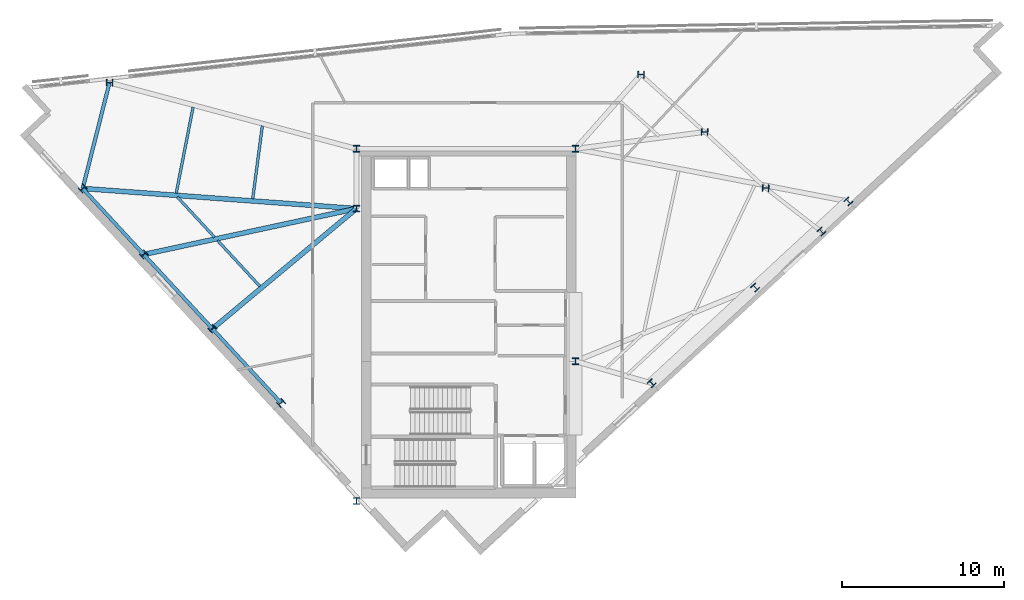
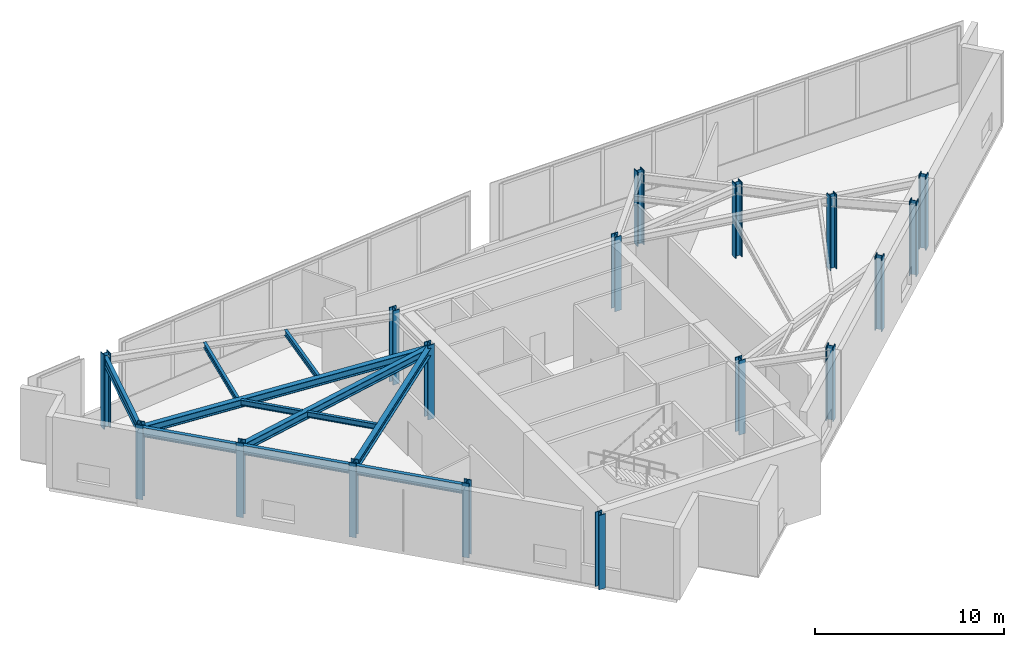
# One storey, part 1 of 12: 17 columns, 11 beams.
"""IFC4 building model written with IfcOpenShell, lengths in metres."""

from ifc_helpers import new_model, si_unit, direction, frame, origin, origin_2d, place, context, subcontext, project, spatial, i_section, extrude, material, material_profile, profile_set, type_object, element, save


model = new_model("IFC4")

# Units and contexts
model_context = context("Model", 3, precision=1e-05, world=origin(), true_north=direction((0.0, 1.0)))
body_context = subcontext(model_context, "Body", "Model", "MODEL_VIEW")
ifc_project = project(units=[si_unit("LENGTHUNIT", "METRE"), si_unit("AREAUNIT", "SQUARE_METRE"), si_unit("VOLUMEUNIT", "CUBIC_METRE"), si_unit("PLANEANGLEUNIT", "RADIAN"), si_unit("MASSUNIT", "GRAM", prefix="KILO")], contexts=[model_context])

# Site, building, storey
site_placement = place(None, origin())
site = spatial("IfcSite", under=ifc_project, at=site_placement, CompositionType="ELEMENT")
building_placement = place(site_placement, origin())
building = spatial("IfcBuilding", under=site, at=building_placement, Name="Narakoshi Arena Tower", CompositionType="ELEMENT")
storey_placement = place(building_placement, frame((0.0, 0.0, 298.179931640625)))
storey = spatial("IfcBuildingStorey", under=building, at=storey_placement, Name="L81", CompositionType="ELEMENT", Elevation=298.179931640625)

# Columns
ifc_material = material(Name="Structural steel S355J2", Category="steel")
ifc_material_profile_1 = material_profile(ifc_material, i_section(OverallWidth=0.406005859375, OverallDepth=0.416015625, WebThickness=0.02978515625, FlangeThickness=0.048095703125, FilletRadius=0.014892578125, at=origin_2d()), Name="HD400x382")
ifc_profile_set_1 = profile_set([ifc_material_profile_1], Name="Structural steel S355J2")
column_type = type_object("IfcColumnType", Name="COL-STL382", PredefinedType="COLUMN", material=ifc_profile_set_1)
for number, where, z_axis, x_axis, name in (
    (1, (72.0, 34.699951171875, 0.0), (0.0, 0.0, 1.0), (1.0, 0.0, 0.0), "L81 Core Structural Column CC1"),
    (2, (85.550048828125, 43.35009765625, 0.0), (0.0, 0.0, 1.0), (1.0, 0.0, 0.0), "L81 Core Structural Column CC3"),
    (3, (72.0, 52.800048828125, 0.0), (0.0, 0.0, 1.0), (1.0, 0.0, 0.0), "L81 Core Structural Column CC4"),
    (4, (72.0, 56.5, 0.0), (0.0, 0.0, 1.0), (1.0, 0.0, 0.0), "L81 Core Structural Column CC5"),
    (5, (85.550048828125, 56.5, 0.0), (0.0, 0.0, 1.0), (1.0, 0.0, 0.0), "L81 Core Structural Column CC6"),
    (6, (90.2734375, 41.992919921875, 0.0), (0.0, 0.0, 1.0), (0.734322509436, 0.678800745533, 0.0), "L81 Tower Perimeter Column TC01"),
    (7, (96.6787109375, 47.913818359375, 0.0), (0.0, 0.0, 1.0), (0.734322509436, 0.678800745533, 0.0), "L81 Tower Perimeter Column TC02"),
    (8, (102.443359375, 53.242431640625, 0.0), (0.0, 0.0, 1.0), (0.734322509436, 0.678800745533, 0.0), "L81 Tower Perimeter Column TC03"),
    (9, (100.78173828125, 51.379638671875, 0.0), (0.0, 0.0, 1.0), (0.734322509436, 0.678800745533, 0.0), "L81 Tower Perimeter Column TC04"),
    (10, (97.3291015625, 54.0654296875, 0.0), (0.0, 0.0, 1.0), (0.039259815759, 0.999229036241, 0.0), "L81 Tower Perimeter Column TC05"),
    (11, (93.55029296875, 57.543701171875, 0.0), (0.0, 0.0, 1.0), (0.039259815759, 0.999229036241, 0.0), "L81 Tower Perimeter Column TC06"),
    (12, (89.611328125, 61.09033203125, 0.0), (0.0, 0.0, 1.0), (0.039259815759, 0.999229036241, 0.0), "L81 Tower Perimeter Column TC07"),
    (13, (56.717041015625, 60.59814453125, 0.0), (0.0, 0.0, 1.0), (0.039259815759, 0.999229036241, 0.0), "L81 Tower Perimeter Column TC10"),
    (14, (55.05810546875, 54.04638671875, 0.0), (0.0, 0.0, 1.0), (-0.678800745533, 0.734322509436, 0.0), "L81 Tower Perimeter Column TC13"),
    (15, (58.8349609375, 49.960693359375, 0.0), (0.0, 0.0, 1.0), (-0.678800745533, 0.734322509436, 0.0), "L81 Tower Perimeter Column TC14"),
    (16, (63.083984375, 45.3642578125, 0.0), (0.0, 0.0, 1.0), (-0.678800745533, 0.734322509436, 0.0), "L81 Tower Perimeter Column TC15"),
    (17, (67.332763671875, 40.767578125, 0.0), (0.0, 0.0, 1.0), (-0.678800745533, 0.734322509436, 0.0), "L81 Tower Perimeter Column TC16"),
):
    element("IfcColumn", number, at=place(storey_placement, frame(where, z_axis=z_axis, x_axis=x_axis)), inside=storey, type_object=column_type, Name=name, PredefinedType="COLUMN", context=body_context, shape_type="SweptSolid", body=[
        extrude(i_section(OverallWidth=0.406005859375, OverallDepth=0.416015625, WebThickness=0.02978515625, FlangeThickness=0.048095703125, FilletRadius=0.014892578125, at=origin_2d()), origin(), (0.0, 0.0, 1.0), 4.800048828125),
    ])

# Beams
ifc_material_profile_2 = material_profile(ifc_material, i_section(OverallWidth=0.219970703125, OverallDepth=0.60009765625, WebThickness=0.011962890625, FlangeThickness=0.01904296875, FilletRadius=0.02392578125, at=origin_2d()), Name="IPE600")
ifc_profile_set_2 = profile_set([ifc_material_profile_2], Name="Structural steel S355J2")
beam_type_1 = type_object("IfcBeamType", Name="BM-EDGE-600", PredefinedType="BEAM", material=ifc_profile_set_2)
beam_1_placement = place(storey_placement, frame((56.717041015625, 60.59814453125, 4.300048828125), z_axis=(-0.245458392699, -0.969407126781, 0.0), x_axis=(0.969407126781, -0.245458392699, 0.0)))
element("IfcBeam", 18, at=beam_1_placement, inside=storey, type_object=beam_type_1, Name="L81 Perimeter Edge Girder 08", PredefinedType="BEAM", context=body_context, shape_type="SweptSolid", body=[
    extrude(i_section(OverallWidth=0.219970703125, OverallDepth=0.60009765625, WebThickness=0.011962890625, FlangeThickness=0.01904296875, FilletRadius=0.02392578125, at=origin_2d()), origin(), (0.0, 0.0, 1.0), 6.758544921875),
])
beam_2_placement = place(storey_placement, frame((55.05810546875, 54.04638671875, 4.300048828125), z_axis=(0.678808438166, -0.734315398365, 0.0), x_axis=(0.734315398365, 0.678808438166, 0.0)))
element("IfcBeam", 19, at=beam_2_placement, inside=storey, type_object=beam_type_1, Name="L81 Perimeter Edge Girder 09", PredefinedType="BEAM", context=body_context, shape_type="SweptSolid", body=[
    extrude(i_section(OverallWidth=0.219970703125, OverallDepth=0.60009765625, WebThickness=0.011962890625, FlangeThickness=0.01904296875, FilletRadius=0.02392578125, at=origin_2d()), origin(), (0.0, 0.0, 1.0), 5.56396484375),
])
for number, where, z_axis, x_axis, name in (
    (20, (58.8349609375, 49.960693359375, 4.300048828125), (0.678811265787, -0.734312784473, 0.0), (0.734312784473, 0.678811265787, 0.0), "L81 Perimeter Edge Girder 10"),
    (21, (63.083984375, 45.3642578125, 4.300048828125), (0.678770792221, -0.734350196859, 0.0), (0.734350196859, 0.678770792221, 0.0), "L81 Perimeter Edge Girder 11"),
):
    element("IfcBeam", number, at=place(storey_placement, frame(where, z_axis=z_axis, x_axis=x_axis)), inside=storey, type_object=beam_type_1, Name=name, PredefinedType="BEAM", context=body_context, shape_type="SweptSolid", body=[
        extrude(i_section(OverallWidth=0.219970703125, OverallDepth=0.60009765625, WebThickness=0.011962890625, FlangeThickness=0.01904296875, FilletRadius=0.02392578125, at=origin_2d()), origin(), (0.0, 0.0, 1.0), 6.259521484375),
    ])
ifc_material_profile_3 = material_profile(ifc_material, i_section(OverallWidth=0.300048828125, OverallDepth=0.5, WebThickness=0.014404296875, FlangeThickness=0.028076171875, FilletRadius=0.027099609375, at=origin_2d()), Name="HE500B")
ifc_profile_set_3 = profile_set([ifc_material_profile_3], Name="Structural steel S355J2")
beam_type_2 = type_object("IfcBeamType", Name="BM-PRI-500", PredefinedType="BEAM", material=ifc_profile_set_3)
beam_3_placement = place(storey_placement, frame((72.0, 52.800048828125, 4.35009765625), z_axis=(-0.997304997013, 0.073367178859, 0.0), x_axis=(-0.073367178859, -0.997304997013, 0.0)))
element("IfcBeam", 22, at=beam_3_placement, inside=storey, type_object=beam_type_2, Name="L81 Radial Primary Floor Girder 09", PredefinedType="BEAM", context=body_context, shape_type="SweptSolid", body=[
    extrude(i_section(OverallWidth=0.300048828125, OverallDepth=0.5, WebThickness=0.014404296875, FlangeThickness=0.028076171875, FilletRadius=0.027099609375, at=origin_2d()), origin(), (0.0, 0.0, 1.0), 16.98779296875),
])
beam_4_placement = place(storey_placement, frame((72.0, 52.800048828125, 4.35009765625), z_axis=(-0.977523534755, -0.210826324256, 0.0), x_axis=(0.210826324256, -0.977523534755, 0.0)))
element("IfcBeam", 23, at=beam_4_placement, inside=storey, type_object=beam_type_2, Name="L81 Radial Primary Floor Girder 10", PredefinedType="BEAM", context=body_context, shape_type="SweptSolid", body=[
    extrude(i_section(OverallWidth=0.300048828125, OverallDepth=0.5, WebThickness=0.014404296875, FlangeThickness=0.028076171875, FilletRadius=0.027099609375, at=origin_2d()), origin(), (0.0, 0.0, 1.0), 13.4677734375),
])
beam_5_placement = place(storey_placement, frame((72.0, 52.800048828125, 4.35009765625), z_axis=(-0.767976460513, -0.640478068397, 0.0), x_axis=(0.640478068397, -0.767976460513, 0.0)))
element("IfcBeam", 24, at=beam_5_placement, inside=storey, type_object=beam_type_2, Name="L81 Radial Primary Floor Girder 11", PredefinedType="BEAM", context=body_context, shape_type="SweptSolid", body=[
    extrude(i_section(OverallWidth=0.300048828125, OverallDepth=0.5, WebThickness=0.014404296875, FlangeThickness=0.028076171875, FilletRadius=0.027099609375, at=origin_2d()), origin(), (0.0, 0.0, 1.0), 11.60986328125),
])
ifc_material_profile_4 = material_profile(ifc_material, i_section(OverallWidth=0.169921875, OverallDepth=0.360107421875, WebThickness=0.008056640625, FlangeThickness=0.0126953125, FilletRadius=0.01806640625, at=origin_2d()), Name="IPE360")
ifc_profile_set_4 = profile_set([ifc_material_profile_4], Name="Structural steel S355J2")
beam_type_3 = type_object("IfcBeamType", Name="BM-SEC-360", PredefinedType="JOIST", material=ifc_profile_set_4)
beam_6_placement = place(storey_placement, frame((66.1748046875, 57.92333984375, 4.420166015625), z_axis=(-0.130622278615, -0.991432206623, 0.0), x_axis=(0.991432206623, -0.130622278615, 0.0)))
element("IfcBeam", 25, at=beam_6_placement, inside=storey, type_object=beam_type_3, Name="L81 Composite Secondary Floor Joist 06", PredefinedType="JOIST", context=body_context, shape_type="SweptSolid", body=[
    extrude(i_section(OverallWidth=0.169921875, OverallDepth=0.360107421875, WebThickness=0.008056640625, FlangeThickness=0.0126953125, FilletRadius=0.01806640625, at=origin_2d()), origin(), (0.0, 0.0, 1.0), 4.554931640625),
])
beam_7_placement = place(storey_placement, frame((61.88720703125, 59.072265625, 4.420166015625), z_axis=(-0.192432326114, -0.98131024649, 0.0), x_axis=(0.98131024649, -0.192432326114, 0.0)))
element("IfcBeam", 26, at=beam_7_placement, inside=storey, type_object=beam_type_3, Name="L81 Composite Secondary Floor Joist 07", PredefinedType="JOIST", context=body_context, shape_type="SweptSolid", body=[
    extrude(i_section(OverallWidth=0.169921875, OverallDepth=0.360107421875, WebThickness=0.008056640625, FlangeThickness=0.0126953125, FilletRadius=0.01806640625, at=origin_2d()), origin(), (0.0, 0.0, 1.0), 5.418701171875),
])
beam_8_placement = place(storey_placement, frame((60.91015625, 53.5234375, 4.420166015625), z_axis=(0.678789604895, -0.734332807579, 0.0), x_axis=(0.734332807579, 0.678789604895, 0.0)))
element("IfcBeam", 27, at=beam_8_placement, inside=storey, type_object=beam_type_3, Name="L81 Composite Secondary Floor Joist 08", PredefinedType="JOIST", context=body_context, shape_type="SweptSolid", body=[
    extrude(i_section(OverallWidth=0.169921875, OverallDepth=0.360107421875, WebThickness=0.008056640625, FlangeThickness=0.0126953125, FilletRadius=0.01806640625, at=origin_2d()), origin(), (0.0, 0.0, 1.0), 3.402099609375),
])
beam_9_placement = place(storey_placement, frame((63.402587890625, 50.826904296875, 4.420166015625), z_axis=(0.67880513783, -0.734318449214, 0.0), x_axis=(0.734318449214, 0.67880513783, 0.0)))
element("IfcBeam", 28, at=beam_9_placement, inside=storey, type_object=beam_type_3, Name="L81 Composite Secondary Floor Joist 09", PredefinedType="JOIST", context=body_context, shape_type="SweptSolid", body=[
    extrude(i_section(OverallWidth=0.169921875, OverallDepth=0.360107421875, WebThickness=0.008056640625, FlangeThickness=0.0126953125, FilletRadius=0.01806640625, at=origin_2d()), origin(), (0.0, 0.0, 1.0), 3.861328125),
])

save(model, "model.ifc")
